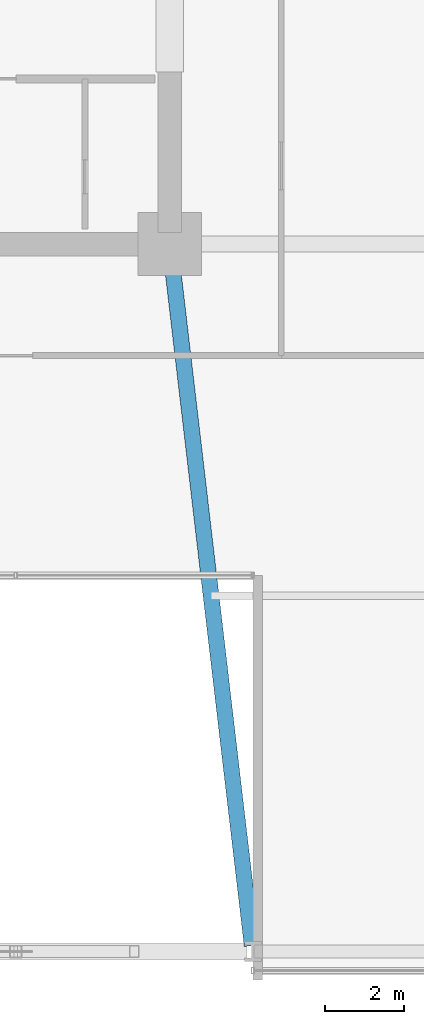
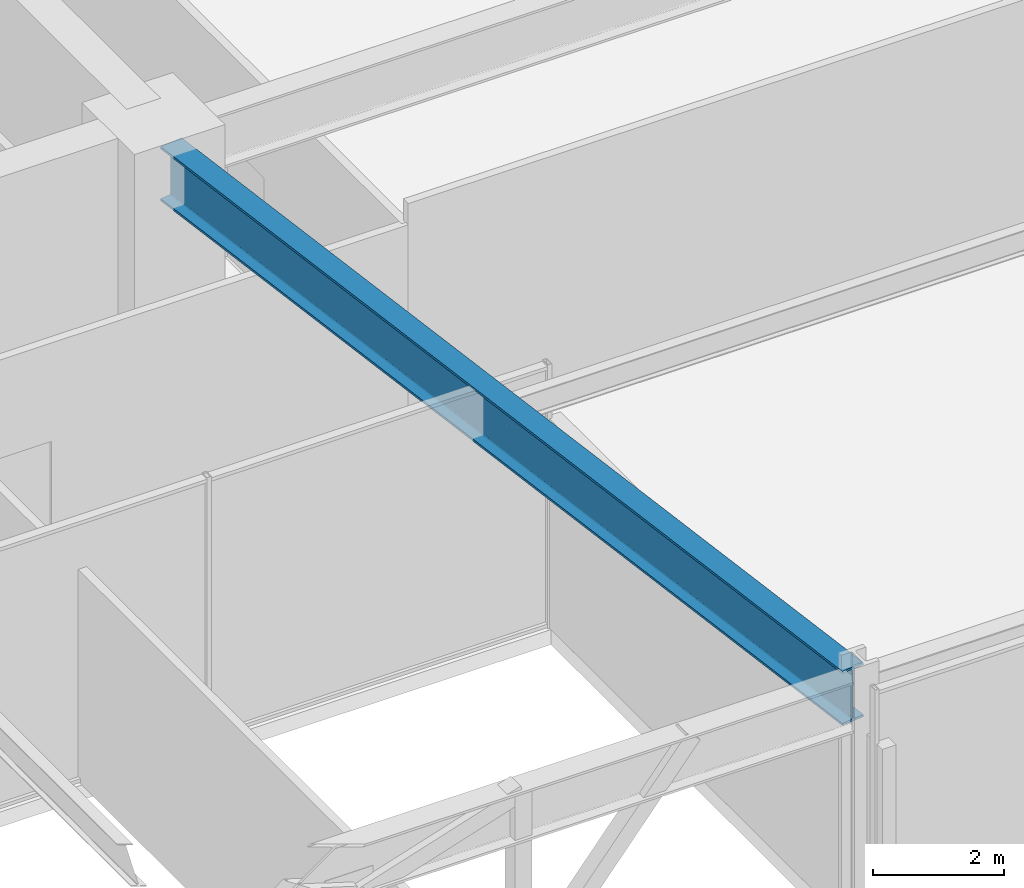
# One storey, part 19 of 49: 1 beam.
"""IFC4 building model written with IfcOpenShell, lengths in metres."""

import ifcopenshell
import ifcopenshell.guid

model = None  # the IFC model being written
_history = None  # IfcOwnerHistory: only IFC2X3 demands one
_inside = {}  # id of a spatial element -> (the spatial element, [elements in it])
_under = {}  # id of a project, library or spatial element -> (it, [spatial elements below it])
_declared = {}  # id of a project -> (the project, [libraries it declares])
_typed = {}  # id of a type object -> (the type object, [elements of that type])
_made_of = {}  # id of a material, layer set ... -> (it, [elements and type objects made of it])


def new_model(schema):
    """Start an empty IFC model of exactly this schema.

    Asked for "IFC4X3", IfcOpenShell would pick the latest addendum, in which some entities
    have other attributes; the version numbers below select the first issue.
    IFC2X3 requires an IfcOwnerHistory on every rooted entity: one is made here for all.
    """
    global model, _history
    if schema == "IFC4X3":
        model = ifcopenshell.file(schema_version=(4, 3, 0, 0))
    else:
        model = ifcopenshell.file(schema=schema)
    _inside.clear()
    _under.clear()
    _declared.clear()
    _typed.clear()
    _made_of.clear()
    _history = None
    if model.schema == "IFC2X3":
        org = make("IfcOrganization", Name="unknown")
        user = make(
            "IfcPersonAndOrganization",
            ThePerson=make("IfcPerson", FamilyName="unknown"),
            TheOrganization=org,
        )
        app = make(
            "IfcApplication",
            ApplicationDeveloper=org,
            Version="unknown",
            ApplicationFullName="unknown",
            ApplicationIdentifier="unknown",
        )
        _history = make(
            "IfcOwnerHistory",
            OwningUser=user,
            OwningApplication=app,
            ChangeAction="ADDED",
            CreationDate=0,
        )
    return model


def make(cls, **values):
    """One entity of the class cls with the attributes given. An attribute that is None is left unset."""
    return model.create_entity(
        cls, **{name: value for name, value in values.items() if value is not None}
    )


def rooted(cls, **values):
    """An entity with a GlobalId (a new one), such as an element, a storey or a relation."""
    return make(cls, GlobalId=ifcopenshell.guid.new(), OwnerHistory=_history, **values)


def si_unit(unit_type, name, prefix=None):
    """IfcSIUnit, for example si_unit("LENGTHUNIT", "METRE", prefix="MILLI")."""
    return make("IfcSIUnit", UnitType=unit_type, Prefix=prefix, Name=name)


def assignment(units):
    """IfcUnitAssignment: the units of a project."""
    return None if units is None else make("IfcUnitAssignment", Units=units)


def point(xyz):
    """IfcCartesianPoint."""
    return None if xyz is None else make("IfcCartesianPoint", Coordinates=xyz)


def direction(xyz):
    """IfcDirection."""
    return None if xyz is None else make("IfcDirection", DirectionRatios=xyz)


def frame(location, z_axis=None, x_axis=None):
    """IfcAxis2Placement3D, a coordinate frame: its origin and axes. An axis left out is left unset."""
    return make(
        "IfcAxis2Placement3D",
        Location=point(location),
        Axis=direction(z_axis),
        RefDirection=direction(x_axis),
    )


def frame_2d(location, x_axis=None):
    """IfcAxis2Placement2D, a coordinate frame in the plane: its origin and x axis."""
    return make(
        "IfcAxis2Placement2D", Location=point(location), RefDirection=direction(x_axis)
    )


def origin():
    """The frame at (0, 0, 0) with its axes left unset."""
    return frame((0.0, 0.0, 0.0))


def origin_2d():
    """The frame at (0, 0) in the plane with its x axis left unset."""
    return frame_2d((0.0, 0.0))


def place(relative_to, where):
    """IfcLocalPlacement: puts the frame where relative to a parent placement (None: the world)."""
    return make(
        "IfcLocalPlacement", PlacementRelTo=relative_to, RelativePlacement=where
    )


def context(
    kind, dimensions, precision=None, world=None, true_north=None, identifier=None
):
    """IfcGeometricRepresentationContext, for example the 3D "Model" context."""
    return make(
        "IfcGeometricRepresentationContext",
        ContextIdentifier=identifier,
        ContextType=kind,
        CoordinateSpaceDimension=dimensions,
        Precision=precision,
        WorldCoordinateSystem=world,
        TrueNorth=true_north,
    )


def subcontext(parent, identifier, kind, view, scale=None):
    """IfcGeometricRepresentationSubContext, for example "Body" below "Model"."""
    return make(
        "IfcGeometricRepresentationSubContext",
        ContextIdentifier=identifier,
        ContextType=kind,
        ParentContext=parent,
        TargetScale=scale,
        TargetView=view,
    )


def project(units=None, contexts=None):
    """IfcProject with its units and contexts."""
    return rooted(
        "IfcProject",
        Name="project",
        RepresentationContexts=contexts,
        UnitsInContext=assignment(units),
    )


def spatial(cls, under=None, at=None, **own):
    """A site, building, storey or space (cls), placed at a placement, below another one or the project."""
    s = rooted(cls, ObjectPlacement=at, **own)
    if under is not None:
        _under.setdefault(under.id(), (under, []))[1].append(s)
    return s


def profile(cls, at=None, kind="AREA", **sizes):
    """A parametric profile (cls). Its sizes go by their IFC names, for example OverallWidth=200.0."""
    return make(cls, ProfileType=kind, Position=at, **sizes)


def i_section(**sizes):
    """IfcIShapeProfileDef."""
    return profile("IfcIShapeProfileDef", **sizes)


def extrude(swept, where, along, depth):
    """IfcExtrudedAreaSolid: the profile swept, set in the frame where, extruded along a direction by depth."""
    return make(
        "IfcExtrudedAreaSolid",
        SweptArea=swept,
        Position=where,
        ExtrudedDirection=direction(along),
        Depth=depth,
    )


def shape(context_of_items, identifier, shape_type, items):
    """IfcShapeRepresentation: the items that make up one representation, for example the "Body"."""
    return make(
        "IfcShapeRepresentation",
        ContextOfItems=context_of_items,
        RepresentationIdentifier=identifier,
        RepresentationType=shape_type,
        Items=items,
    )


def material(Name=None, Category=None):
    """IfcMaterial."""
    return make("IfcMaterial", Name=Name, Category=Category)


def material_profile(
    of_material, cross_section, Name=None, Category=None, Priority=None
):
    """IfcMaterialProfile: a cross section and its material."""
    return make(
        "IfcMaterialProfile",
        Name=Name,
        Material=of_material,
        Profile=cross_section,
        Priority=Priority,
        Category=Category,
    )


def profile_set(profiles, Name=None, composite=None):
    """IfcMaterialProfileSet."""
    return make(
        "IfcMaterialProfileSet",
        Name=Name,
        MaterialProfiles=profiles,
        CompositeProfile=composite,
    )


def made_of(thing, what):
    """Note that an element or type object is made of a material, layer set ...; save() writes the relation."""
    if what is not None:
        _made_of.setdefault(what.id(), (what, []))[1].append(thing)
    return thing


def type_object(cls, material=None, **own):
    """A type object (cls), such as IfcWallType, which elements share."""
    return made_of(rooted(cls, **own), material)


def element(
    cls,
    number,
    at=None,
    inside=None,
    cuts=None,
    type_object=None,
    material=None,
    context=None,
    identifier="Body",
    shape_type=None,
    held_by="IfcProductDefinitionShape",
    body=None,
    shapes=None,
    **own,
):
    """One element of the class cls, such as IfcWall. Its Tag is "e" and its number.

    at: its placement. inside: the storey or other place that contains it. cuts: it is an
    opening in that element (IfcRelVoidsElement). A single representation is given by context,
    identifier, shape_type and body (its items); several are given by shapes. held_by: the class
    of the entity that holds the representations. save() writes the other relations.
    """
    e = rooted(cls, Tag="e%d" % number, ObjectPlacement=at, **own)
    if body is not None:
        shapes = [shape(context, identifier, shape_type, body)]
    if shapes is not None:
        e.Representation = make(held_by, Representations=shapes)
    if inside is not None:
        _inside.setdefault(inside.id(), (inside, []))[1].append(e)
    if cuts is not None:
        rooted(
            "IfcRelVoidsElement", RelatingBuildingElement=cuts, RelatedOpeningElement=e
        )
    if type_object is not None:
        _typed.setdefault(type_object.id(), (type_object, []))[1].append(e)
    return made_of(e, material)


def aggregate(whole, parts):
    """IfcRelAggregates: a whole, such as a stair, and the parts it consists of."""
    return rooted("IfcRelAggregates", RelatingObject=whole, RelatedObjects=parts)


def save(model, path):
    """Write the relations noted so far, then the file.

    IfcRelAggregates (storeys below a building ...), IfcRelContainedInSpatialStructure (elements
    in a storey), IfcRelDefinesByType, IfcRelAssociatesMaterial and IfcRelDeclares: one each for
    every whole, place, type object, material and project.
    """
    for whole, parts in _under.values():
        aggregate(whole, parts)
    for where, things in _inside.values():
        rooted(
            "IfcRelContainedInSpatialStructure",
            RelatedElements=things,
            RelatingStructure=where,
        )
    for kind, things in _typed.values():
        rooted("IfcRelDefinesByType", RelatedObjects=things, RelatingType=kind)
    for what, things in _made_of.values():
        rooted("IfcRelAssociatesMaterial", RelatedObjects=things, RelatingMaterial=what)
    for by, libraries in _declared.values():
        rooted("IfcRelDeclares", RelatingContext=by, RelatedDefinitions=libraries)
    model.write(path)


model = new_model("IFC4")

# Units and contexts
model_context = context("Model", 3, precision=1e-05, world=origin(), true_north=direction((0.0, 1.0)))
body_context = subcontext(model_context, "Body", "Model", "MODEL_VIEW")
ifc_project = project(units=[si_unit("LENGTHUNIT", "METRE"), si_unit("AREAUNIT", "SQUARE_METRE"), si_unit("VOLUMEUNIT", "CUBIC_METRE"), si_unit("PLANEANGLEUNIT", "RADIAN"), si_unit("MASSUNIT", "GRAM", prefix="KILO")], contexts=[model_context])

# Site, building, storey
site_placement = place(None, origin())
site = spatial("IfcSite", under=ifc_project, at=site_placement, CompositionType="ELEMENT")
building_placement = place(site_placement, origin())
building = spatial("IfcBuilding", under=site, at=building_placement, Name="Kolvaren Belvedere", CompositionType="ELEMENT")
storey_placement = place(building_placement, frame((0.0, 0.0, 10.0)))
storey = spatial("IfcBuildingStorey", under=building, at=storey_placement, Name="L03", CompositionType="ELEMENT", Elevation=10.0)

# Beam
ifc_material = material(Name="Structural steel ASTM A992 Grade 50", Category="steel")
ifc_material_profile = material_profile(ifc_material, i_section(OverallWidth=0.40087890625, OverallDepth=1.010986328125, WebThickness=0.023681640625, FlangeThickness=0.0419921875, FilletRadius=0.030029296875, at=origin_2d()), Name="W40X297")
ifc_profile_set = profile_set([ifc_material_profile], Name="Structural steel ASTM A992 Grade 50")
beam_type = type_object("IfcBeamType", Name="BM-BALL-W40X297", PredefinedType="BEAM", material=ifc_profile_set)
beam_placement = place(storey_placement, frame((9.952392578125, -10.346923828125, 4.41455078125), z_axis=(0.116516841483, -0.993188716031, 0.0), x_axis=(0.993188716031, 0.116516841483, 0.0)))
element("IfcBeam", 1, at=beam_placement, inside=storey, type_object=beam_type, Name="L03 South-East Portal Girder", PredefinedType="BEAM", context=body_context, shape_type="SweptSolid", body=[
    extrude(i_section(OverallWidth=0.40087890625, OverallDepth=1.010986328125, WebThickness=0.023681640625, FlangeThickness=0.0419921875, FilletRadius=0.030029296875, at=origin_2d()), origin(), (0.0, 0.0, 1.0), 17.422607421875),
])

save(model, "model.ifc")
